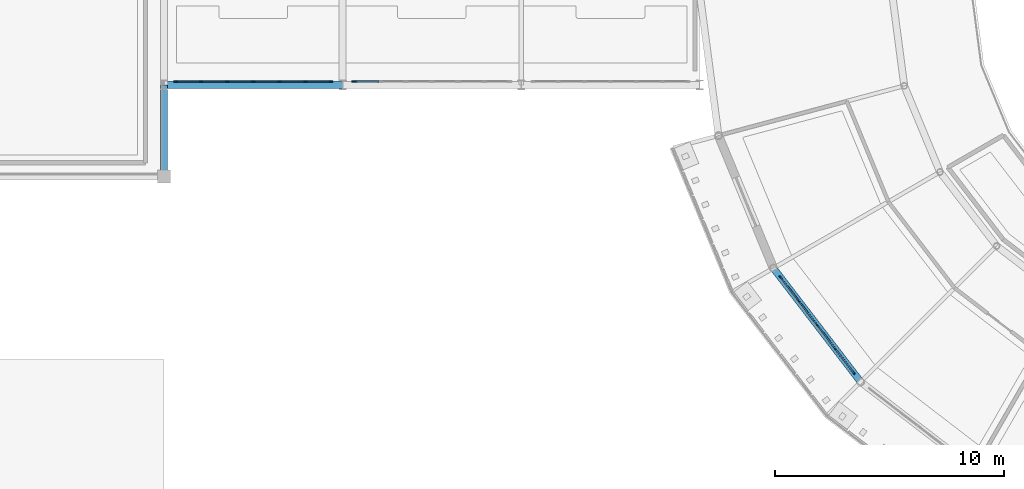
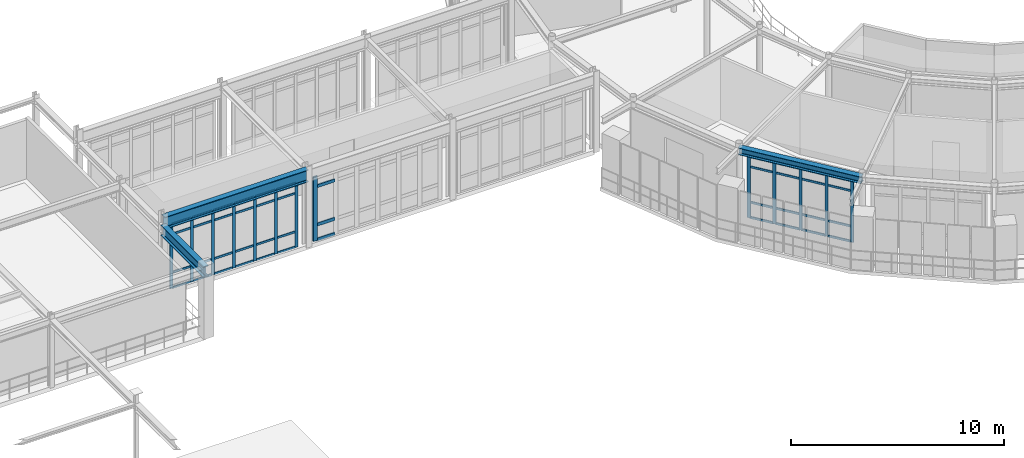
# One storey, part 27 of 90: 56 members, 3 beams, 3 elements without a shape of their own.
"""IFC4 building model written with IfcOpenShell, lengths in metres."""

from ifc_helpers import new_model, si_unit, derived_unit, direction, frame, origin, origin_2d, place, context, subcontext, project, spatial, rectangle, i_section, extrude, material, layer, layer_set, material_profile, profile_set, type_object, element, aggregate, save


model = new_model("IFC4")

# Units and contexts
model_context = context("Model", 3, precision=1e-05, world=origin(), true_north=direction((0.0, 1.0)))
body_context = subcontext(model_context, "Body", "Model", "MODEL_VIEW")
ifc_project = project(units=[si_unit("LENGTHUNIT", "METRE"), si_unit("AREAUNIT", "SQUARE_METRE"), si_unit("VOLUMEUNIT", "CUBIC_METRE"), si_unit("PLANEANGLEUNIT", "RADIAN"), si_unit("MASSUNIT", "GRAM", prefix="KILO"), derived_unit("THERMALTRANSMITTANCEUNIT", [(si_unit("POWERUNIT", "WATT"), 1), (si_unit("AREAUNIT", "SQUARE_METRE"), -1), (si_unit("THERMODYNAMICTEMPERATUREUNIT", "KELVIN"), -1)])], contexts=[model_context])

# Site, building, storey
site_placement = place(None, origin())
site = spatial("IfcSite", under=ifc_project, at=site_placement, CompositionType="ELEMENT")
building_placement = place(site_placement, origin())
building = spatial("IfcBuilding", under=site, at=building_placement, Name="Yasenodar Specialist Clinic", CompositionType="ELEMENT")
storey_placement = place(building_placement, frame((0.0, 0.0, 9.0)))
storey = spatial("IfcBuildingStorey", under=building, at=storey_placement, Name="L02", CompositionType="ELEMENT", Elevation=9.0)

# Beams
ifc_material_1 = material(Name="Steel S355", Category="steel")
ifc_material_profile_1 = material_profile(ifc_material_1, i_section(OverallWidth=0.300048828125, OverallDepth=0.389892578125, WebThickness=0.010986328125, FlangeThickness=0.01904296875, FilletRadius=0.027099609375, at=origin_2d()), Name="HEA 400")
ifc_profile_set_1 = profile_set([ifc_material_profile_1], Name="Steel S355")
beam_type_1 = type_object("IfcBeamType", Name="BM-HEA400", PredefinedType="BEAM", material=ifc_profile_set_1)
beam_1_placement = place(storey_placement, frame((60.21533203125, 46.800048828125, 3.7548828125), z_axis=(0.608742360322, -0.793367971845, 0.0), x_axis=(0.793367971845, 0.608742360322, 0.0)))
element("IfcBeam", 1, at=beam_1_placement, inside=storey, type_object=beam_type_1, Name="L02 Drum V1 Perimeter Ring Beam", PredefinedType="BEAM", context=body_context, shape_type="SweptSolid", body=[
    extrude(i_section(OverallWidth=0.300048828125, OverallDepth=0.389892578125, WebThickness=0.010986328125, FlangeThickness=0.01904296875, FilletRadius=0.027099609375, at=origin_2d()), origin(), (0.0, 0.0, 1.0), 6.265380859375),
])
ifc_material_profile_2 = material_profile(ifc_material_1, i_section(OverallWidth=0.300048828125, OverallDepth=0.60009765625, WebThickness=0.015380859375, FlangeThickness=0.030029296875, FilletRadius=0.027099609375, at=origin_2d()), Name="HEB 600")
ifc_profile_set_2 = profile_set([ifc_material_profile_2], Name="Steel S355")
beam_type_2 = type_object("IfcBeamType", Name="BM-HEB600", PredefinedType="BEAM", material=ifc_profile_set_2)
beam_2_placement = place(storey_placement, frame((33.60009765625, 50.800048828125, 3.64990234375), z_axis=(0.0, 1.0, 0.0), x_axis=(-1.0, 0.0, 0.0)))
element("IfcBeam", 2, at=beam_2_placement, inside=storey, type_object=beam_type_2, Name="L02 Primary N-S Girder", PredefinedType="BEAM", context=body_context, shape_type="SweptSolid", body=[
    extrude(i_section(OverallWidth=0.300048828125, OverallDepth=0.60009765625, WebThickness=0.015380859375, FlangeThickness=0.030029296875, FilletRadius=0.027099609375, at=origin_2d()), origin(), (0.0, 0.0, 1.0), 4.0),
])
ifc_material_profile_3 = material_profile(ifc_material_1, i_section(OverallWidth=0.300048828125, OverallDepth=0.699951171875, WebThickness=0.01708984375, FlangeThickness=0.031982421875, FilletRadius=0.027099609375, at=origin_2d()), Name="HEB 700")
ifc_profile_set_3 = profile_set([ifc_material_profile_3], Name="Steel S355")
beam_type_3 = type_object("IfcBeamType", Name="BM-HEB700", PredefinedType="BEAM", material=ifc_profile_set_3)
beam_3_placement = place(storey_placement, frame((33.60009765625, 54.800048828125, 4.074951171875), z_axis=(1.0, 0.0, 0.0), x_axis=(0.0, 1.0, 0.0)))
element("IfcBeam", 3, at=beam_3_placement, inside=storey, type_object=beam_type_3, Name="L02 Light Bridge Girder", PredefinedType="BEAM", context=body_context, shape_type="SweptSolid", body=[
    extrude(i_section(OverallWidth=0.300048828125, OverallDepth=0.699951171875, WebThickness=0.01708984375, FlangeThickness=0.031982421875, FilletRadius=0.027099609375, at=origin_2d()), origin(), (0.0, 0.0, 1.0), 7.7998046875),
])

# Curtain wall, members
ifc_material_2 = material(Name="Bronze Anodized Aluminium and Triple Low-E Glass", Category="aluminium")
ifc_layer_1 = layer(ifc_material_2, 0.1669921875)
ifc_layer_set_1 = layer_set([ifc_layer_1], Name="Bronze Anodized Aluminium and Triple Low-E Glass")
curtain_wall_type_1 = type_object("IfcCurtainWallType", Name="CW-SYS-01", PredefinedType="USERDEFINED", material=ifc_layer_set_1)
curtain_wall_1_placement = place(storey_placement, origin())
curtain_wall_1 = element("IfcCurtainWall", 4, at=curtain_wall_1_placement, inside=storey, type_object=curtain_wall_type_1, Name="L02 Unitised Curtain Wall 033", ObjectType="UNITISED CURTAIN WALL", PredefinedType="USERDEFINED")
ifc_material_3 = material(Name="Bronze Anodized Aluminium", Category="aluminium")
ifc_material_profile_4 = material_profile(ifc_material_3, rectangle(XDim=0.06005859375, YDim=0.159912109375, at=origin_2d()), Name="CW-MULL 60x160")
ifc_profile_set_4 = profile_set([ifc_material_profile_4], Name="Bronze Anodized Aluminium")
member_type_1 = type_object("IfcMemberType", Name="CW-MULL-160", PredefinedType="MULLION", material=ifc_profile_set_4)
member_1_placement = place(storey_placement, frame((63.718994140625, 42.23388671875, 0.0), z_axis=(0.0, 0.0, 1.0), x_axis=(-0.793360558574, -0.608752021844, 0.0)))
member_1 = element("IfcMember", 5, at=member_1_placement, type_object=member_type_1, Name="CW-01 mullion 1", PredefinedType="MULLION", context=body_context, shape_type="SweptSolid", body=[
    extrude(rectangle(XDim=0.06005859375, YDim=0.159912109375, at=origin_2d()), origin(), (0.0, 0.0, 1.0), 3.5380859375),
])
member_2_placement = place(storey_placement, frame((62.9296875, 43.262451171875, 0.0), z_axis=(0.0, 0.0, 1.0), x_axis=(-0.793360558574, -0.608752021844, 0.0)))
member_2 = element("IfcMember", 6, at=member_2_placement, type_object=member_type_1, Name="CW-01 mullion 2", PredefinedType="MULLION", context=body_context, shape_type="SweptSolid", body=[
    extrude(rectangle(XDim=0.06005859375, YDim=0.159912109375, at=origin_2d()), origin(), (0.0, 0.0, 1.0), 3.5380859375),
])
member_3_placement = place(storey_placement, frame((62.122314453125, 44.314697265625, 0.0), z_axis=(0.0, 0.0, 1.0), x_axis=(-0.793360558574, -0.608752021844, 0.0)))
member_3 = element("IfcMember", 7, at=member_3_placement, type_object=member_type_1, Name="CW-01 mullion 3", PredefinedType="MULLION", context=body_context, shape_type="SweptSolid", body=[
    extrude(rectangle(XDim=0.06005859375, YDim=0.159912109375, at=origin_2d()), origin(), (0.0, 0.0, 1.0), 3.5380859375),
])
member_4_placement = place(storey_placement, frame((61.31494140625, 45.366943359375, 0.0), z_axis=(0.0, 0.0, 1.0), x_axis=(-0.793360558574, -0.608752021844, 0.0)))
member_4 = element("IfcMember", 8, at=member_4_placement, type_object=member_type_1, Name="CW-01 mullion 4", PredefinedType="MULLION", context=body_context, shape_type="SweptSolid", body=[
    extrude(rectangle(XDim=0.06005859375, YDim=0.159912109375, at=origin_2d()), origin(), (0.0, 0.0, 1.0), 3.5380859375),
])
member_5_placement = place(storey_placement, frame((60.52587890625, 46.3955078125, 0.0), z_axis=(0.0, 0.0, 1.0), x_axis=(-0.793360558574, -0.608752021844, 0.0)))
member_5 = element("IfcMember", 9, at=member_5_placement, type_object=member_type_1, Name="CW-01 mullion 5", PredefinedType="MULLION", context=body_context, shape_type="SweptSolid", body=[
    extrude(rectangle(XDim=0.06005859375, YDim=0.159912109375, at=origin_2d()), origin(), (0.0, 0.0, 1.0), 3.5380859375),
])

ifc_layer_2 = layer(ifc_material_2, 0.19091796875)
ifc_layer_set_2 = layer_set([ifc_layer_2], Name="Bronze Anodized Aluminium and Triple Low-E Glass")
curtain_wall_type_2 = type_object("IfcCurtainWallType", Name="CW-SYS-03", PredefinedType="USERDEFINED", material=ifc_layer_set_2)
curtain_wall_2_placement = place(storey_placement, origin())
curtain_wall_2 = element("IfcCurtainWall", 10, at=curtain_wall_2_placement, inside=storey, type_object=curtain_wall_type_2, Name="L02 Unitised Curtain Wall 108", ObjectType="UNITISED CURTAIN WALL", PredefinedType="USERDEFINED")
member_6_placement = place(storey_placement, frame((40.889892578125, 54.949951171875, 0.0), z_axis=(0.0, 0.0, 1.0), x_axis=(0.0, -1.0, 0.0)))
member_6 = element("IfcMember", 11, at=member_6_placement, type_object=member_type_1, Name="CW-03 mullion 1", PredefinedType="MULLION", context=body_context, shape_type="SweptSolid", body=[
    extrude(rectangle(XDim=0.06005859375, YDim=0.159912109375, at=origin_2d()), origin(), (0.0, 0.0, 1.0), 3.702880859375),
])
member_7_placement = place(storey_placement, frame((39.780029296875, 54.949951171875, 0.0), z_axis=(0.0, 0.0, 1.0), x_axis=(0.0, -1.0, 0.0)))
member_7 = element("IfcMember", 12, at=member_7_placement, type_object=member_type_1, Name="CW-03 mullion 2", PredefinedType="MULLION", context=body_context, shape_type="SweptSolid", body=[
    extrude(rectangle(XDim=0.06005859375, YDim=0.159912109375, at=origin_2d()), origin(), (0.0, 0.0, 1.0), 3.702880859375),
])
member_8_placement = place(storey_placement, frame((38.639892578125, 54.949951171875, 0.0), z_axis=(0.0, 0.0, 1.0), x_axis=(0.0, -1.0, 0.0)))
member_8 = element("IfcMember", 13, at=member_8_placement, type_object=member_type_1, Name="CW-03 mullion 3", PredefinedType="MULLION", context=body_context, shape_type="SweptSolid", body=[
    extrude(rectangle(XDim=0.06005859375, YDim=0.159912109375, at=origin_2d()), origin(), (0.0, 0.0, 1.0), 3.702880859375),
])
member_9_placement = place(storey_placement, frame((37.5, 54.949951171875, 0.0), z_axis=(0.0, 0.0, 1.0), x_axis=(0.0, -1.0, 0.0)))
member_9 = element("IfcMember", 14, at=member_9_placement, type_object=member_type_1, Name="CW-03 mullion 4", PredefinedType="MULLION", context=body_context, shape_type="SweptSolid", body=[
    extrude(rectangle(XDim=0.06005859375, YDim=0.159912109375, at=origin_2d()), origin(), (0.0, 0.0, 1.0), 3.702880859375),
])
member_10_placement = place(storey_placement, frame((36.360107421875, 54.949951171875, 0.0), z_axis=(0.0, 0.0, 1.0), x_axis=(0.0, -1.0, 0.0)))
member_10 = element("IfcMember", 15, at=member_10_placement, type_object=member_type_1, Name="CW-03 mullion 5", PredefinedType="MULLION", context=body_context, shape_type="SweptSolid", body=[
    extrude(rectangle(XDim=0.06005859375, YDim=0.159912109375, at=origin_2d()), origin(), (0.0, 0.0, 1.0), 3.702880859375),
])
member_11_placement = place(storey_placement, frame((35.219970703125, 54.949951171875, 0.0), z_axis=(0.0, 0.0, 1.0), x_axis=(0.0, -1.0, 0.0)))
member_11 = element("IfcMember", 16, at=member_11_placement, type_object=member_type_1, Name="CW-03 mullion 6", PredefinedType="MULLION", context=body_context, shape_type="SweptSolid", body=[
    extrude(rectangle(XDim=0.06005859375, YDim=0.159912109375, at=origin_2d()), origin(), (0.0, 0.0, 1.0), 3.702880859375),
])
member_12_placement = place(storey_placement, frame((34.110107421875, 54.949951171875, 0.0), z_axis=(0.0, 0.0, 1.0), x_axis=(0.0, -1.0, 0.0)))
member_12 = element("IfcMember", 17, at=member_12_placement, type_object=member_type_1, Name="CW-03 mullion 7", PredefinedType="MULLION", context=body_context, shape_type="SweptSolid", body=[
    extrude(rectangle(XDim=0.06005859375, YDim=0.159912109375, at=origin_2d()), origin(), (0.0, 0.0, 1.0), 3.702880859375),
])

# Curtain wall, member
curtain_wall_3_placement = place(storey_placement, origin())
curtain_wall_3 = element("IfcCurtainWall", 18, at=curtain_wall_3_placement, inside=storey, type_object=curtain_wall_type_2, Name="L02 Unitised Curtain Wall 110", ObjectType="UNITISED CURTAIN WALL", PredefinedType="USERDEFINED")
ifc_material_profile_5 = material_profile(ifc_material_3, rectangle(XDim=0.074951171875, YDim=0.22509765625, at=origin_2d()), Name="CW-MULL 75x225")
ifc_profile_set_5 = profile_set([ifc_material_profile_5], Name="Bronze Anodized Aluminium")
member_type_2 = type_object("IfcMemberType", Name="CW-MULL-225", PredefinedType="MULLION", material=ifc_profile_set_5)
member_13_placement = place(storey_placement, frame((41.91748046875, 54.949951171875, 0.0), z_axis=(0.0, 0.0, 1.0), x_axis=(0.0, -1.0, 0.0)))
member_13 = element("IfcMember", 19, at=member_13_placement, type_object=member_type_2, Name="CW-03 mullion 7", PredefinedType="MULLION", context=body_context, shape_type="SweptSolid", body=[
    extrude(rectangle(XDim=0.074951171875, YDim=0.22509765625, at=origin_2d()), origin(), (0.0, 0.0, 1.0), 3.702880859375),
])

# Member
ifc_material_profile_6 = material_profile(ifc_material_3, rectangle(XDim=0.06005859375, YDim=0.1201171875, at=origin_2d()), Name="CW-TRAN 60x120")
ifc_profile_set_6 = profile_set([ifc_material_profile_6], Name="Bronze Anodized Aluminium")
member_type_3 = type_object("IfcMemberType", Name="CW-TRAN-120", PredefinedType="USERDEFINED", material=ifc_profile_set_6)
member_14_placement = place(storey_placement, frame((63.70068359375, 42.2578125, 0.030029296875), z_axis=(-0.608746535642, 0.793364768151, 0.0), x_axis=(-0.793364768151, -0.608746535642, 0.0)))
member_14 = element("IfcMember", 20, at=member_14_placement, type_object=member_type_3, Name="CW-01 transom 1.1", ObjectType="TRANSOM", PredefinedType="USERDEFINED", context=body_context, shape_type="SweptSolid", body=[
    extrude(rectangle(XDim=0.06005859375, YDim=0.1201171875, at=origin_2d()), origin(), (0.0, 0.0, 1.0), 1.236572265625),
])

member_15_placement = place(storey_placement, frame((63.70068359375, 42.2578125, 0.89990234375), z_axis=(-0.608746535642, 0.793364768151, 0.0), x_axis=(-0.793364768151, -0.608746535642, 0.0)))
member_15 = element("IfcMember", 21, at=member_15_placement, type_object=member_type_3, Name="CW-01 transom 1.2", ObjectType="TRANSOM", PredefinedType="USERDEFINED", context=body_context, shape_type="SweptSolid", body=[
    extrude(rectangle(XDim=0.06005859375, YDim=0.1201171875, at=origin_2d()), origin(), (0.0, 0.0, 1.0), 1.236572265625),
])

member_16_placement = place(storey_placement, frame((63.70068359375, 42.2578125, 2.93798828125), z_axis=(-0.608746535642, 0.793364768151, 0.0), x_axis=(-0.793364768151, -0.608746535642, 0.0)))
member_16 = element("IfcMember", 22, at=member_16_placement, type_object=member_type_3, Name="CW-01 transom 1.3", ObjectType="TRANSOM", PredefinedType="USERDEFINED", context=body_context, shape_type="SweptSolid", body=[
    extrude(rectangle(XDim=0.06005859375, YDim=0.1201171875, at=origin_2d()), origin(), (0.0, 0.0, 1.0), 1.236572265625),
])

member_17_placement = place(storey_placement, frame((63.70068359375, 42.2578125, 3.508056640625), z_axis=(-0.608746535642, 0.793364768151, 0.0), x_axis=(-0.793364768151, -0.608746535642, 0.0)))
member_17 = element("IfcMember", 23, at=member_17_placement, type_object=member_type_3, Name="CW-01 transom 1.4", ObjectType="TRANSOM", PredefinedType="USERDEFINED", context=body_context, shape_type="SweptSolid", body=[
    extrude(rectangle(XDim=0.06005859375, YDim=0.1201171875, at=origin_2d()), origin(), (0.0, 0.0, 1.0), 1.236572265625),
])

member_18_placement = place(storey_placement, frame((62.91162109375, 43.2861328125, 0.030029296875), z_axis=(-0.608722862036, 0.793382932281, 0.0), x_axis=(-0.793382932281, -0.608722862036, 0.0)))
member_18 = element("IfcMember", 24, at=member_18_placement, type_object=member_type_3, Name="CW-01 transom 2.1", ObjectType="TRANSOM", PredefinedType="USERDEFINED", context=body_context, shape_type="SweptSolid", body=[
    extrude(rectangle(XDim=0.06005859375, YDim=0.1201171875, at=origin_2d()), origin(), (0.0, 0.0, 1.0), 1.2666015625),
])

member_19_placement = place(storey_placement, frame((62.91162109375, 43.2861328125, 0.89990234375), z_axis=(-0.608722862036, 0.793382932281, 0.0), x_axis=(-0.793382932281, -0.608722862036, 0.0)))
member_19 = element("IfcMember", 25, at=member_19_placement, type_object=member_type_3, Name="CW-01 transom 2.2", ObjectType="TRANSOM", PredefinedType="USERDEFINED", context=body_context, shape_type="SweptSolid", body=[
    extrude(rectangle(XDim=0.06005859375, YDim=0.1201171875, at=origin_2d()), origin(), (0.0, 0.0, 1.0), 1.2666015625),
])

member_20_placement = place(storey_placement, frame((62.91162109375, 43.2861328125, 2.93798828125), z_axis=(-0.608722862036, 0.793382932281, 0.0), x_axis=(-0.793382932281, -0.608722862036, 0.0)))
member_20 = element("IfcMember", 26, at=member_20_placement, type_object=member_type_3, Name="CW-01 transom 2.3", ObjectType="TRANSOM", PredefinedType="USERDEFINED", context=body_context, shape_type="SweptSolid", body=[
    extrude(rectangle(XDim=0.06005859375, YDim=0.1201171875, at=origin_2d()), origin(), (0.0, 0.0, 1.0), 1.2666015625),
])

member_21_placement = place(storey_placement, frame((62.91162109375, 43.2861328125, 3.508056640625), z_axis=(-0.608722862036, 0.793382932281, 0.0), x_axis=(-0.793382932281, -0.608722862036, 0.0)))
member_21 = element("IfcMember", 27, at=member_21_placement, type_object=member_type_3, Name="CW-01 transom 2.4", ObjectType="TRANSOM", PredefinedType="USERDEFINED", context=body_context, shape_type="SweptSolid", body=[
    extrude(rectangle(XDim=0.06005859375, YDim=0.1201171875, at=origin_2d()), origin(), (0.0, 0.0, 1.0), 1.2666015625),
])

member_22_placement = place(storey_placement, frame((62.104248046875, 44.33837890625, 0.030029296875), z_axis=(-0.608722862036, 0.793382932281, 0.0), x_axis=(-0.793382932281, -0.608722862036, 0.0)))
member_22 = element("IfcMember", 28, at=member_22_placement, type_object=member_type_3, Name="CW-01 transom 3.1", ObjectType="TRANSOM", PredefinedType="USERDEFINED", context=body_context, shape_type="SweptSolid", body=[
    extrude(rectangle(XDim=0.06005859375, YDim=0.1201171875, at=origin_2d()), origin(), (0.0, 0.0, 1.0), 1.2666015625),
])

member_23_placement = place(storey_placement, frame((62.104248046875, 44.33837890625, 0.89990234375), z_axis=(-0.608722862036, 0.793382932281, 0.0), x_axis=(-0.793382932281, -0.608722862036, 0.0)))
member_23 = element("IfcMember", 29, at=member_23_placement, type_object=member_type_3, Name="CW-01 transom 3.2", ObjectType="TRANSOM", PredefinedType="USERDEFINED", context=body_context, shape_type="SweptSolid", body=[
    extrude(rectangle(XDim=0.06005859375, YDim=0.1201171875, at=origin_2d()), origin(), (0.0, 0.0, 1.0), 1.2666015625),
])

member_24_placement = place(storey_placement, frame((62.104248046875, 44.33837890625, 2.93798828125), z_axis=(-0.608722862036, 0.793382932281, 0.0), x_axis=(-0.793382932281, -0.608722862036, 0.0)))
member_24 = element("IfcMember", 30, at=member_24_placement, type_object=member_type_3, Name="CW-01 transom 3.3", ObjectType="TRANSOM", PredefinedType="USERDEFINED", context=body_context, shape_type="SweptSolid", body=[
    extrude(rectangle(XDim=0.06005859375, YDim=0.1201171875, at=origin_2d()), origin(), (0.0, 0.0, 1.0), 1.2666015625),
])

member_25_placement = place(storey_placement, frame((62.104248046875, 44.33837890625, 3.508056640625), z_axis=(-0.608722862036, 0.793382932281, 0.0), x_axis=(-0.793382932281, -0.608722862036, 0.0)))
member_25 = element("IfcMember", 31, at=member_25_placement, type_object=member_type_3, Name="CW-01 transom 3.4", ObjectType="TRANSOM", PredefinedType="USERDEFINED", context=body_context, shape_type="SweptSolid", body=[
    extrude(rectangle(XDim=0.06005859375, YDim=0.1201171875, at=origin_2d()), origin(), (0.0, 0.0, 1.0), 1.2666015625),
])

member_26_placement = place(storey_placement, frame((61.296630859375, 45.390869140625, 0.030029296875), z_axis=(-0.608717606417, 0.793386964626, 0.0), x_axis=(-0.793386964626, -0.608717606417, 0.0)))
member_26 = element("IfcMember", 32, at=member_26_placement, type_object=member_type_3, Name="CW-01 transom 4.1", ObjectType="TRANSOM", PredefinedType="USERDEFINED", context=body_context, shape_type="SweptSolid", body=[
    extrude(rectangle(XDim=0.06005859375, YDim=0.1201171875, at=origin_2d()), origin(), (0.0, 0.0, 1.0), 1.236083984375),
])

member_27_placement = place(storey_placement, frame((61.296630859375, 45.390869140625, 0.89990234375), z_axis=(-0.608717606417, 0.793386964626, 0.0), x_axis=(-0.793386964626, -0.608717606417, 0.0)))
member_27 = element("IfcMember", 33, at=member_27_placement, type_object=member_type_3, Name="CW-01 transom 4.2", ObjectType="TRANSOM", PredefinedType="USERDEFINED", context=body_context, shape_type="SweptSolid", body=[
    extrude(rectangle(XDim=0.06005859375, YDim=0.1201171875, at=origin_2d()), origin(), (0.0, 0.0, 1.0), 1.236083984375),
])

member_28_placement = place(storey_placement, frame((61.296630859375, 45.390869140625, 2.93798828125), z_axis=(-0.608717606417, 0.793386964626, 0.0), x_axis=(-0.793386964626, -0.608717606417, 0.0)))
member_28 = element("IfcMember", 34, at=member_28_placement, type_object=member_type_3, Name="CW-01 transom 4.3", ObjectType="TRANSOM", PredefinedType="USERDEFINED", context=body_context, shape_type="SweptSolid", body=[
    extrude(rectangle(XDim=0.06005859375, YDim=0.1201171875, at=origin_2d()), origin(), (0.0, 0.0, 1.0), 1.236083984375),
])

member_29_placement = place(storey_placement, frame((61.296630859375, 45.390869140625, 3.508056640625), z_axis=(-0.608717606417, 0.793386964626, 0.0), x_axis=(-0.793386964626, -0.608717606417, 0.0)))
member_29 = element("IfcMember", 35, at=member_29_placement, type_object=member_type_3, Name="CW-01 transom 4.4", ObjectType="TRANSOM", PredefinedType="USERDEFINED", context=body_context, shape_type="SweptSolid", body=[
    extrude(rectangle(XDim=0.06005859375, YDim=0.1201171875, at=origin_2d()), origin(), (0.0, 0.0, 1.0), 1.236083984375),
])

aggregate(curtain_wall_1, [member_1, member_2, member_3, member_4, member_5, member_14, member_15, member_16, member_17, member_18, member_19, member_20, member_21, member_22, member_23, member_24, member_25, member_26, member_27, member_28, member_29])

member_30_placement = place(storey_placement, frame((40.860107421875, 54.949951171875, 0.030029296875), z_axis=(-1.0, 0.0, 0.0), x_axis=(0.0, -1.0, 0.0)))
member_30 = element("IfcMember", 36, at=member_30_placement, type_object=member_type_3, Name="CW-03 transom 1.1", ObjectType="TRANSOM", PredefinedType="USERDEFINED", context=body_context, shape_type="SweptSolid", body=[
    extrude(rectangle(XDim=0.06005859375, YDim=0.1201171875, at=origin_2d()), origin(), (0.0, 0.0, 1.0), 1.050048828125),
])

member_31_placement = place(storey_placement, frame((40.860107421875, 54.949951171875, 0.89990234375), z_axis=(-1.0, 0.0, 0.0), x_axis=(0.0, -1.0, 0.0)))
member_31 = element("IfcMember", 37, at=member_31_placement, type_object=member_type_3, Name="CW-03 transom 1.2", ObjectType="TRANSOM", PredefinedType="USERDEFINED", context=body_context, shape_type="SweptSolid", body=[
    extrude(rectangle(XDim=0.06005859375, YDim=0.1201171875, at=origin_2d()), origin(), (0.0, 0.0, 1.0), 1.050048828125),
])

member_32_placement = place(storey_placement, frame((40.860107421875, 54.949951171875, 3.10302734375), z_axis=(-1.0, 0.0, 0.0), x_axis=(0.0, -1.0, 0.0)))
member_32 = element("IfcMember", 38, at=member_32_placement, type_object=member_type_3, Name="CW-03 transom 1.3", ObjectType="TRANSOM", PredefinedType="USERDEFINED", context=body_context, shape_type="SweptSolid", body=[
    extrude(rectangle(XDim=0.06005859375, YDim=0.1201171875, at=origin_2d()), origin(), (0.0, 0.0, 1.0), 1.050048828125),
])

member_33_placement = place(storey_placement, frame((40.860107421875, 54.949951171875, 3.673095703125), z_axis=(-1.0, 0.0, 0.0), x_axis=(0.0, -1.0, 0.0)))
member_33 = element("IfcMember", 39, at=member_33_placement, type_object=member_type_3, Name="CW-03 transom 1.4", ObjectType="TRANSOM", PredefinedType="USERDEFINED", context=body_context, shape_type="SweptSolid", body=[
    extrude(rectangle(XDim=0.06005859375, YDim=0.1201171875, at=origin_2d()), origin(), (0.0, 0.0, 1.0), 1.050048828125),
])

member_34_placement = place(storey_placement, frame((39.75, 54.949951171875, 0.030029296875), z_axis=(-1.0, 0.0, 0.0), x_axis=(0.0, -1.0, 0.0)))
member_34 = element("IfcMember", 40, at=member_34_placement, type_object=member_type_3, Name="CW-03 transom 2.1", ObjectType="TRANSOM", PredefinedType="USERDEFINED", context=body_context, shape_type="SweptSolid", body=[
    extrude(rectangle(XDim=0.06005859375, YDim=0.1201171875, at=origin_2d()), origin(), (0.0, 0.0, 1.0), 1.080078125),
])

member_35_placement = place(storey_placement, frame((39.75, 54.949951171875, 0.89990234375), z_axis=(-1.0, 0.0, 0.0), x_axis=(0.0, -1.0, 0.0)))
member_35 = element("IfcMember", 41, at=member_35_placement, type_object=member_type_3, Name="CW-03 transom 2.2", ObjectType="TRANSOM", PredefinedType="USERDEFINED", context=body_context, shape_type="SweptSolid", body=[
    extrude(rectangle(XDim=0.06005859375, YDim=0.1201171875, at=origin_2d()), origin(), (0.0, 0.0, 1.0), 1.080078125),
])

member_36_placement = place(storey_placement, frame((39.75, 54.949951171875, 3.10302734375), z_axis=(-1.0, 0.0, 0.0), x_axis=(0.0, -1.0, 0.0)))
member_36 = element("IfcMember", 42, at=member_36_placement, type_object=member_type_3, Name="CW-03 transom 2.3", ObjectType="TRANSOM", PredefinedType="USERDEFINED", context=body_context, shape_type="SweptSolid", body=[
    extrude(rectangle(XDim=0.06005859375, YDim=0.1201171875, at=origin_2d()), origin(), (0.0, 0.0, 1.0), 1.080078125),
])

member_37_placement = place(storey_placement, frame((39.75, 54.949951171875, 3.673095703125), z_axis=(-1.0, 0.0, 0.0), x_axis=(0.0, -1.0, 0.0)))
member_37 = element("IfcMember", 43, at=member_37_placement, type_object=member_type_3, Name="CW-03 transom 2.4", ObjectType="TRANSOM", PredefinedType="USERDEFINED", context=body_context, shape_type="SweptSolid", body=[
    extrude(rectangle(XDim=0.06005859375, YDim=0.1201171875, at=origin_2d()), origin(), (0.0, 0.0, 1.0), 1.080078125),
])

member_38_placement = place(storey_placement, frame((38.610107421875, 54.949951171875, 0.030029296875), z_axis=(-1.0, 0.0, 0.0), x_axis=(0.0, -1.0, 0.0)))
member_38 = element("IfcMember", 44, at=member_38_placement, type_object=member_type_3, Name="CW-03 transom 3.1", ObjectType="TRANSOM", PredefinedType="USERDEFINED", context=body_context, shape_type="SweptSolid", body=[
    extrude(rectangle(XDim=0.06005859375, YDim=0.1201171875, at=origin_2d()), origin(), (0.0, 0.0, 1.0), 1.080078125),
])

member_39_placement = place(storey_placement, frame((38.610107421875, 54.949951171875, 0.89990234375), z_axis=(-1.0, 0.0, 0.0), x_axis=(0.0, -1.0, 0.0)))
member_39 = element("IfcMember", 45, at=member_39_placement, type_object=member_type_3, Name="CW-03 transom 3.2", ObjectType="TRANSOM", PredefinedType="USERDEFINED", context=body_context, shape_type="SweptSolid", body=[
    extrude(rectangle(XDim=0.06005859375, YDim=0.1201171875, at=origin_2d()), origin(), (0.0, 0.0, 1.0), 1.080078125),
])

member_40_placement = place(storey_placement, frame((38.610107421875, 54.949951171875, 3.10302734375), z_axis=(-1.0, 0.0, 0.0), x_axis=(0.0, -1.0, 0.0)))
member_40 = element("IfcMember", 46, at=member_40_placement, type_object=member_type_3, Name="CW-03 transom 3.3", ObjectType="TRANSOM", PredefinedType="USERDEFINED", context=body_context, shape_type="SweptSolid", body=[
    extrude(rectangle(XDim=0.06005859375, YDim=0.1201171875, at=origin_2d()), origin(), (0.0, 0.0, 1.0), 1.080078125),
])

member_41_placement = place(storey_placement, frame((38.610107421875, 54.949951171875, 3.673095703125), z_axis=(-1.0, 0.0, 0.0), x_axis=(0.0, -1.0, 0.0)))
member_41 = element("IfcMember", 47, at=member_41_placement, type_object=member_type_3, Name="CW-03 transom 3.4", ObjectType="TRANSOM", PredefinedType="USERDEFINED", context=body_context, shape_type="SweptSolid", body=[
    extrude(rectangle(XDim=0.06005859375, YDim=0.1201171875, at=origin_2d()), origin(), (0.0, 0.0, 1.0), 1.080078125),
])

member_42_placement = place(storey_placement, frame((37.469970703125, 54.949951171875, 0.030029296875), z_axis=(-1.0, 0.0, 0.0), x_axis=(0.0, -1.0, 0.0)))
member_42 = element("IfcMember", 48, at=member_42_placement, type_object=member_type_3, Name="CW-03 transom 4.1", ObjectType="TRANSOM", PredefinedType="USERDEFINED", context=body_context, shape_type="SweptSolid", body=[
    extrude(rectangle(XDim=0.06005859375, YDim=0.1201171875, at=origin_2d()), origin(), (0.0, 0.0, 1.0), 1.080078125),
])

member_43_placement = place(storey_placement, frame((37.469970703125, 54.949951171875, 0.89990234375), z_axis=(-1.0, 0.0, 0.0), x_axis=(0.0, -1.0, 0.0)))
member_43 = element("IfcMember", 49, at=member_43_placement, type_object=member_type_3, Name="CW-03 transom 4.2", ObjectType="TRANSOM", PredefinedType="USERDEFINED", context=body_context, shape_type="SweptSolid", body=[
    extrude(rectangle(XDim=0.06005859375, YDim=0.1201171875, at=origin_2d()), origin(), (0.0, 0.0, 1.0), 1.080078125),
])

member_44_placement = place(storey_placement, frame((37.469970703125, 54.949951171875, 3.10302734375), z_axis=(-1.0, 0.0, 0.0), x_axis=(0.0, -1.0, 0.0)))
member_44 = element("IfcMember", 50, at=member_44_placement, type_object=member_type_3, Name="CW-03 transom 4.3", ObjectType="TRANSOM", PredefinedType="USERDEFINED", context=body_context, shape_type="SweptSolid", body=[
    extrude(rectangle(XDim=0.06005859375, YDim=0.1201171875, at=origin_2d()), origin(), (0.0, 0.0, 1.0), 1.080078125),
])

member_45_placement = place(storey_placement, frame((37.469970703125, 54.949951171875, 3.673095703125), z_axis=(-1.0, 0.0, 0.0), x_axis=(0.0, -1.0, 0.0)))
member_45 = element("IfcMember", 51, at=member_45_placement, type_object=member_type_3, Name="CW-03 transom 4.4", ObjectType="TRANSOM", PredefinedType="USERDEFINED", context=body_context, shape_type="SweptSolid", body=[
    extrude(rectangle(XDim=0.06005859375, YDim=0.1201171875, at=origin_2d()), origin(), (0.0, 0.0, 1.0), 1.080078125),
])

member_46_placement = place(storey_placement, frame((36.330078125, 54.949951171875, 0.030029296875), z_axis=(-1.0, 0.0, 0.0), x_axis=(0.0, -1.0, 0.0)))
member_46 = element("IfcMember", 52, at=member_46_placement, type_object=member_type_3, Name="CW-03 transom 5.1", ObjectType="TRANSOM", PredefinedType="USERDEFINED", context=body_context, shape_type="SweptSolid", body=[
    extrude(rectangle(XDim=0.06005859375, YDim=0.1201171875, at=origin_2d()), origin(), (0.0, 0.0, 1.0), 1.080078125),
])

member_47_placement = place(storey_placement, frame((36.330078125, 54.949951171875, 0.89990234375), z_axis=(-1.0, 0.0, 0.0), x_axis=(0.0, -1.0, 0.0)))
member_47 = element("IfcMember", 53, at=member_47_placement, type_object=member_type_3, Name="CW-03 transom 5.2", ObjectType="TRANSOM", PredefinedType="USERDEFINED", context=body_context, shape_type="SweptSolid", body=[
    extrude(rectangle(XDim=0.06005859375, YDim=0.1201171875, at=origin_2d()), origin(), (0.0, 0.0, 1.0), 1.080078125),
])

member_48_placement = place(storey_placement, frame((36.330078125, 54.949951171875, 3.10302734375), z_axis=(-1.0, 0.0, 0.0), x_axis=(0.0, -1.0, 0.0)))
member_48 = element("IfcMember", 54, at=member_48_placement, type_object=member_type_3, Name="CW-03 transom 5.3", ObjectType="TRANSOM", PredefinedType="USERDEFINED", context=body_context, shape_type="SweptSolid", body=[
    extrude(rectangle(XDim=0.06005859375, YDim=0.1201171875, at=origin_2d()), origin(), (0.0, 0.0, 1.0), 1.080078125),
])

member_49_placement = place(storey_placement, frame((36.330078125, 54.949951171875, 3.673095703125), z_axis=(-1.0, 0.0, 0.0), x_axis=(0.0, -1.0, 0.0)))
member_49 = element("IfcMember", 55, at=member_49_placement, type_object=member_type_3, Name="CW-03 transom 5.4", ObjectType="TRANSOM", PredefinedType="USERDEFINED", context=body_context, shape_type="SweptSolid", body=[
    extrude(rectangle(XDim=0.06005859375, YDim=0.1201171875, at=origin_2d()), origin(), (0.0, 0.0, 1.0), 1.080078125),
])

member_50_placement = place(storey_placement, frame((35.18994140625, 54.949951171875, 0.030029296875), z_axis=(-1.0, 0.0, 0.0), x_axis=(0.0, -1.0, 0.0)))
member_50 = element("IfcMember", 56, at=member_50_placement, type_object=member_type_3, Name="CW-03 transom 6.1", ObjectType="TRANSOM", PredefinedType="USERDEFINED", context=body_context, shape_type="SweptSolid", body=[
    extrude(rectangle(XDim=0.06005859375, YDim=0.1201171875, at=origin_2d()), origin(), (0.0, 0.0, 1.0), 1.050048828125),
])

member_51_placement = place(storey_placement, frame((35.18994140625, 54.949951171875, 0.89990234375), z_axis=(-1.0, 0.0, 0.0), x_axis=(0.0, -1.0, 0.0)))
member_51 = element("IfcMember", 57, at=member_51_placement, type_object=member_type_3, Name="CW-03 transom 6.2", ObjectType="TRANSOM", PredefinedType="USERDEFINED", context=body_context, shape_type="SweptSolid", body=[
    extrude(rectangle(XDim=0.06005859375, YDim=0.1201171875, at=origin_2d()), origin(), (0.0, 0.0, 1.0), 1.050048828125),
])

member_52_placement = place(storey_placement, frame((35.18994140625, 54.949951171875, 3.10302734375), z_axis=(-1.0, 0.0, 0.0), x_axis=(0.0, -1.0, 0.0)))
member_52 = element("IfcMember", 58, at=member_52_placement, type_object=member_type_3, Name="CW-03 transom 6.3", ObjectType="TRANSOM", PredefinedType="USERDEFINED", context=body_context, shape_type="SweptSolid", body=[
    extrude(rectangle(XDim=0.06005859375, YDim=0.1201171875, at=origin_2d()), origin(), (0.0, 0.0, 1.0), 1.050048828125),
])

member_53_placement = place(storey_placement, frame((35.18994140625, 54.949951171875, 3.673095703125), z_axis=(-1.0, 0.0, 0.0), x_axis=(0.0, -1.0, 0.0)))
member_53 = element("IfcMember", 59, at=member_53_placement, type_object=member_type_3, Name="CW-03 transom 6.4", ObjectType="TRANSOM", PredefinedType="USERDEFINED", context=body_context, shape_type="SweptSolid", body=[
    extrude(rectangle(XDim=0.06005859375, YDim=0.1201171875, at=origin_2d()), origin(), (0.0, 0.0, 1.0), 1.050048828125),
])

aggregate(curtain_wall_2, [member_6, member_7, member_8, member_9, member_10, member_11, member_12, member_30, member_31, member_32, member_33, member_34, member_35, member_36, member_37, member_38, member_39, member_40, member_41, member_42, member_43, member_44, member_45, member_46, member_47, member_48, member_49, member_50, member_51, member_52, member_53])

ifc_material_profile_7 = material_profile(ifc_material_3, rectangle(XDim=0.074951171875, YDim=0.175048828125, at=origin_2d()), Name="CW-TRAN 75x175")
ifc_profile_set_7 = profile_set([ifc_material_profile_7], Name="Bronze Anodized Aluminium")
member_type_4 = type_object("IfcMemberType", Name="CW-TRAN-175", PredefinedType="USERDEFINED", material=ifc_profile_set_7)
member_54_placement = place(storey_placement, frame((42.982421875, 54.949951171875, 0.03759765625), z_axis=(-1.0, 0.0, 0.0), x_axis=(0.0, -1.0, 0.0)))
member_54 = element("IfcMember", 60, at=member_54_placement, type_object=member_type_4, Name="CW-03 transom 6.1", ObjectType="TRANSOM", PredefinedType="USERDEFINED", context=body_context, shape_type="SweptSolid", body=[
    extrude(rectangle(XDim=0.074951171875, YDim=0.175048828125, at=origin_2d()), origin(), (0.0, 0.0, 1.0), 1.02734375),
])

member_55_placement = place(storey_placement, frame((42.982421875, 54.949951171875, 0.89990234375), z_axis=(-1.0, 0.0, 0.0), x_axis=(0.0, -1.0, 0.0)))
member_55 = element("IfcMember", 61, at=member_55_placement, type_object=member_type_4, Name="CW-03 transom 6.2", ObjectType="TRANSOM", PredefinedType="USERDEFINED", context=body_context, shape_type="SweptSolid", body=[
    extrude(rectangle(XDim=0.074951171875, YDim=0.175048828125, at=origin_2d()), origin(), (0.0, 0.0, 1.0), 1.02734375),
])

member_56_placement = place(storey_placement, frame((42.982421875, 54.949951171875, 3.10302734375), z_axis=(-1.0, 0.0, 0.0), x_axis=(0.0, -1.0, 0.0)))
member_56 = element("IfcMember", 62, at=member_56_placement, type_object=member_type_4, Name="CW-03 transom 6.3", ObjectType="TRANSOM", PredefinedType="USERDEFINED", context=body_context, shape_type="SweptSolid", body=[
    extrude(rectangle(XDim=0.074951171875, YDim=0.175048828125, at=origin_2d()), origin(), (0.0, 0.0, 1.0), 1.02734375),
])

aggregate(curtain_wall_3, [member_13, member_54, member_55, member_56])

save(model, "model.ifc")
